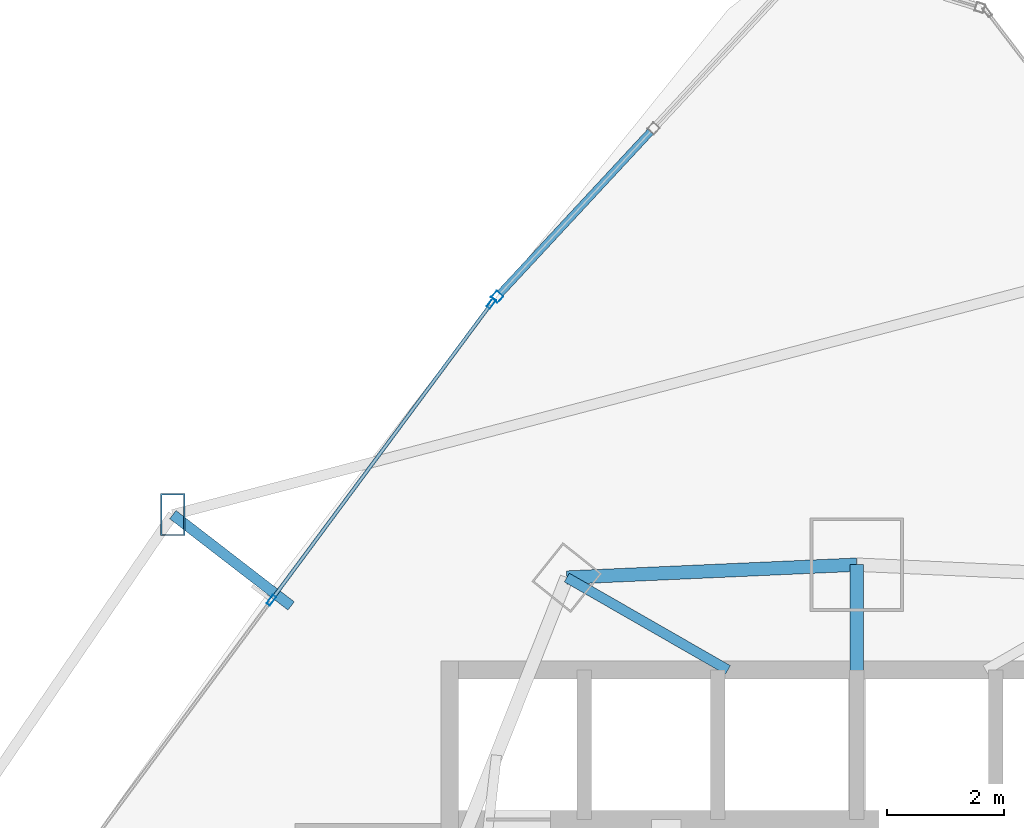
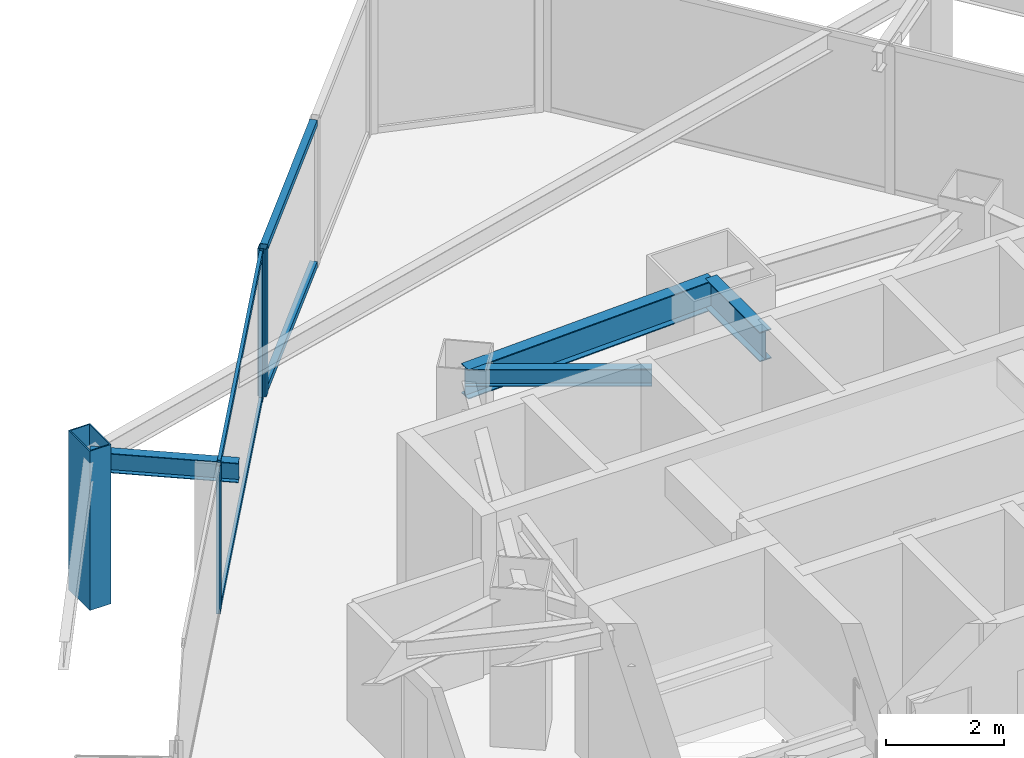
# One storey, part 25 of 37: 8 members, 4 beams, 2 elements without a shape of their own.
"""IFC4 building model written with IfcOpenShell, lengths in metres."""

from ifc_helpers import new_model, si_unit, direction, frame, origin, origin_2d, place, context, subcontext, project, spatial, hollow_rectangle, i_section, extrude, material, layer, layer_set, material_profile, profile_set, type_object, element, aggregate, save


model = new_model("IFC4")

# Units and contexts
model_context = context("Model", 3, precision=1e-05, world=origin(), true_north=direction((0.0, 1.0)))
body_context = subcontext(model_context, "Body", "Model", "MODEL_VIEW")
ifc_project = project(units=[si_unit("LENGTHUNIT", "METRE"), si_unit("AREAUNIT", "SQUARE_METRE"), si_unit("VOLUMEUNIT", "CUBIC_METRE"), si_unit("PLANEANGLEUNIT", "RADIAN"), si_unit("MASSUNIT", "GRAM", prefix="KILO")], contexts=[model_context])

# Site, building, storey
site_placement = place(None, origin())
site = spatial("IfcSite", under=ifc_project, at=site_placement, CompositionType="ELEMENT")
building_placement = place(site_placement, origin())
building = spatial("IfcBuilding", under=site, at=building_placement, Name="Orvanel Arch Residences", CompositionType="ELEMENT")
storey_placement = place(building_placement, frame((0.0, 0.0, 53.300048828125)))
storey = spatial("IfcBuildingStorey", under=building, at=storey_placement, Name="L14", CompositionType="ELEMENT", Elevation=53.300048828125)

# Beams
ifc_material_1 = material(Name="Structural steel AS/NZS 3679.1 Grade 300 (300 MPa)", Category="steel")
ifc_material_profile_1 = material_profile(ifc_material_1, i_section(OverallWidth=0.22900390625, OverallDepth=0.612060546875, WebThickness=0.011962890625, FlangeThickness=0.01953125, at=origin_2d()), Name="610UB125")
ifc_profile_set_1 = profile_set([ifc_material_profile_1], Name="Structural steel AS/NZS 3679.1 Grade 300 (300 MPa)")
beam_type_1 = type_object("IfcBeamType", Name="BG-610UB", PredefinedType="BEAM", material=ifc_profile_set_1)
beam_1_placement = place(storey_placement, frame((33.0, 39.550048828125, 2.75390625), z_axis=(0.0, 1.0, 0.0), x_axis=(-1.0, 0.0, 0.0)))
element("IfcBeam", 1, at=beam_1_placement, inside=storey, type_object=beam_type_1, Name="L14 North Radial Girder", PredefinedType="BEAM", context=body_context, shape_type="SweptSolid", body=[
    extrude(i_section(OverallWidth=0.22900390625, OverallDepth=0.612060546875, WebThickness=0.011962890625, FlangeThickness=0.01953125, at=origin_2d()), origin(), (0.0, 0.0, 1.0), 1.847900390625),
])
ifc_material_profile_2 = material_profile(ifc_material_1, i_section(OverallWidth=0.1708984375, OverallDepth=0.35595703125, WebThickness=0.00732421875, FlangeThickness=0.011474609375, at=origin_2d()), Name="360UB50.7")
ifc_profile_set_2 = profile_set([ifc_material_profile_2], Name="Structural steel AS/NZS 3679.1 Grade 300 (300 MPa)")
beam_type_2 = type_object("IfcBeamType", Name="BJ-360UB", PredefinedType="JOIST", material=ifc_profile_set_2)
beam_2_placement = place(storey_placement, frame((30.800048828125, 39.60009765625, 2.8818359375), z_axis=(-0.86736513383, 0.497672306458, 0.0), x_axis=(-0.497672306458, -0.86736513383, 0.0)))
element("IfcBeam", 2, at=beam_2_placement, inside=storey, type_object=beam_type_2, Name="L14 MNW Wing Floor Joist", PredefinedType="JOIST", context=body_context, shape_type="SweptSolid", body=[
    extrude(i_section(OverallWidth=0.1708984375, OverallDepth=0.35595703125, WebThickness=0.00732421875, FlangeThickness=0.011474609375, at=origin_2d()), origin(), (0.0, 0.0, 1.0), 3.17041015625),
])

# Member
ifc_material_2 = material(Name="Structural steel AS/NZS 3678 Grade 350", Category="steel")
ifc_material_profile_3 = material_profile(ifc_material_2, hollow_rectangle(XDim=0.419921875, YDim=0.719970703125, WallThickness=0.02490234375, at=origin_2d()), Name="RHS720x420x25")
ifc_profile_set_3 = profile_set([ifc_material_profile_3], Name="Structural steel AS/NZS 3678 Grade 350")
member_type_1 = type_object("IfcMemberType", Name="CH-720RHS-EXT", PredefinedType="CHORD", material=ifc_profile_set_3)
member_1_placement = place(storey_placement, frame((21.323974609375, 42.251953125, 0.0), z_axis=(0.0, 0.0, 1.0), x_axis=(1.0, 0.0, 0.0)))
element("IfcMember", 3, at=member_1_placement, inside=storey, type_object=member_type_1, Name="L14 Outer Perimeter Frame Post 01", PredefinedType="CHORD", context=body_context, shape_type="SweptSolid", body=[
    extrude(hollow_rectangle(XDim=0.419921875, YDim=0.719970703125, WallThickness=0.02490234375, at=origin_2d()), origin(), (0.0, 0.0, 1.0), 3.300048828125),
])

# Curtain wall, member
ifc_material_3 = material(Name="Bronze-anodised aluminium AA6063-T6", Category="aluminium")
ifc_layer_1 = layer(ifc_material_3, 0.18994140625)
ifc_layer_set_1 = layer_set([ifc_layer_1], Name="Bronze-anodised aluminium AA6063-T6")
curtain_wall_type_1 = type_object("IfcCurtainWallType", Name="CW5-CRN-SYS", PredefinedType="NOTDEFINED", material=ifc_layer_set_1)
curtain_wall_1_placement = place(storey_placement, origin())
curtain_wall_1 = element("IfcCurtainWall", 4, at=curtain_wall_1_placement, inside=storey, type_object=curtain_wall_type_1, Name="L14 CW5-CRN-SYS Unitised Curtain Wall", PredefinedType="NOTDEFINED")
ifc_material_profile_4 = material_profile(ifc_material_3, hollow_rectangle(XDim=0.14990234375, YDim=0.14990234375, WallThickness=0.0048828125, at=origin_2d()), Name="ALU150x150x5")
ifc_profile_set_4 = profile_set([ifc_material_profile_4], Name="Bronze-anodised aluminium AA6063-T6")
member_type_2 = type_object("IfcMemberType", Name="MUL-150x150", PredefinedType="MULLION", material=ifc_profile_set_4)
member_2_placement = place(storey_placement, frame((26.860107421875, 45.971923828125, 0.0), z_axis=(0.0, 0.0, 1.0), x_axis=(0.732512897092, -0.680753153202, 0.0)))
member_2 = element("IfcMember", 5, at=member_2_placement, type_object=member_type_2, Name="CW-S5 mullion 3", PredefinedType="MULLION", context=body_context, shape_type="SweptSolid", body=[
    extrude(hollow_rectangle(XDim=0.14990234375, YDim=0.14990234375, WallThickness=0.0048828125, at=origin_2d()), origin(), (0.0, 0.0, 1.0), 3.06005859375),
])

# Curtain wall, members
ifc_layer_2 = layer(ifc_material_3, 0.179931640625)
ifc_layer_set_2 = layer_set([ifc_layer_2], Name="Bronze-anodised aluminium AA6063-T6")
curtain_wall_type_2 = type_object("IfcCurtainWallType", Name="CW2-LOW-SYS", PredefinedType="NOTDEFINED", material=ifc_layer_set_2)
curtain_wall_2_placement = place(storey_placement, origin())
curtain_wall_2 = element("IfcCurtainWall", 6, at=curtain_wall_2_placement, inside=storey, type_object=curtain_wall_type_2, Name="L14 CW2-LOW-SYS Unitised Curtain Wall", PredefinedType="NOTDEFINED")
ifc_material_profile_5 = material_profile(ifc_material_3, hollow_rectangle(XDim=0.070068359375, YDim=0.179931640625, WallThickness=0.00439453125, at=origin_2d()), Name="ALU180x70x4.5")
ifc_profile_set_5 = profile_set([ifc_material_profile_5], Name="Bronze-anodised aluminium AA6063-T6")
member_type_3 = type_object("IfcMemberType", Name="MUL-180x70", PredefinedType="MULLION", material=ifc_profile_set_5)
member_3_placement = place(storey_placement, frame((26.76220703125, 45.85791015625, 0.0), z_axis=(0.0, 0.0, 1.0), x_axis=(0.803233082468, -0.595664851429, 0.0)))
member_3 = element("IfcMember", 7, at=member_3_placement, type_object=member_type_3, Name="CW-S2 mullion 1", PredefinedType="MULLION", context=body_context, shape_type="SweptSolid", body=[
    extrude(hollow_rectangle(XDim=0.070068359375, YDim=0.179931640625, WallThickness=0.00439453125, at=origin_2d()), origin(), (0.0, 0.0, 1.0), 3.06005859375),
])
member_4_placement = place(storey_placement, frame((23.0048828125, 40.79150390625, 0.0), z_axis=(0.0, 0.0, 1.0), x_axis=(0.803233082468, -0.595664851429, 0.0)))
member_4 = element("IfcMember", 8, at=member_4_placement, type_object=member_type_3, Name="CW-S2 mullion 2", PredefinedType="MULLION", context=body_context, shape_type="SweptSolid", body=[
    extrude(hollow_rectangle(XDim=0.070068359375, YDim=0.179931640625, WallThickness=0.00439453125, at=origin_2d()), origin(), (0.0, 0.0, 1.0), 3.06005859375),
])

# Beams
ifc_material_profile_6 = material_profile(ifc_material_1, i_section(OverallWidth=0.177978515625, OverallDepth=0.406005859375, WebThickness=0.0078125, FlangeThickness=0.0126953125, at=origin_2d()), Name="410UB59.7")
ifc_profile_set_6 = profile_set([ifc_material_profile_6], Name="Structural steel AS/NZS 3679.1 Grade 300 (300 MPa)")
beam_type_3 = type_object("IfcBeamType", Name="OB-410UB-EXT", PredefinedType="SPANDREL", material=ifc_profile_set_6)
beam_3_placement = place(storey_placement, frame((23.343017578125, 40.693115234375, 2.85693359375), z_axis=(-0.791537524176, 0.611120567336, 0.0), x_axis=(-0.611120567336, -0.791537524176, 0.0)))
element("IfcBeam", 9, at=beam_3_placement, inside=storey, type_object=beam_type_3, Name="L14 Outer Frame Radial Tie Beam 01", PredefinedType="SPANDREL", context=body_context, shape_type="SweptSolid", body=[
    extrude(i_section(OverallWidth=0.177978515625, OverallDepth=0.406005859375, WebThickness=0.0078125, FlangeThickness=0.0126953125, at=origin_2d()), origin(), (0.0, 0.0, 1.0), 2.55078125),
])
ifc_material_profile_7 = material_profile(ifc_material_1, i_section(OverallWidth=0.22900390625, OverallDepth=0.612060546875, WebThickness=0.011962890625, FlangeThickness=0.01953125, at=origin_2d()), Name="610UB125")
ifc_profile_set_7 = profile_set([ifc_material_profile_7], Name="Structural steel AS/NZS 3679.1 Grade 300 (300 MPa)")
beam_type_4 = type_object("IfcBeamType", Name="SP-610UB", PredefinedType="SPANDREL", material=ifc_profile_set_7)
beam_4_placement = place(storey_placement, frame((33.0, 41.39794921875, 2.75390625), z_axis=(-0.999014049296, -0.044395149614, 0.0), x_axis=(0.044395149614, -0.999014049296, 0.0)))
element("IfcBeam", 10, at=beam_4_placement, inside=storey, type_object=beam_type_4, Name="L14 Perimeter Spandrel Beam 17", PredefinedType="SPANDREL", context=body_context, shape_type="SweptSolid", body=[
    extrude(i_section(OverallWidth=0.22900390625, OverallDepth=0.612060546875, WebThickness=0.011962890625, FlangeThickness=0.01953125, at=origin_2d()), origin(), (0.0, 0.0, 1.0), 4.954833984375),
])

# Member
ifc_material_profile_8 = material_profile(ifc_material_3, hollow_rectangle(XDim=0.1298828125, YDim=0.1298828125, WallThickness=0.00439453125, at=origin_2d()), Name="ALU130x130x4.5")
ifc_profile_set_8 = profile_set([ifc_material_profile_8], Name="Bronze-anodised aluminium AA6063-T6")
member_type_4 = type_object("IfcMemberType", Name="TRN-130x130", PredefinedType="USERDEFINED", material=ifc_profile_set_8)
member_5_placement = place(storey_placement, frame((29.48046875, 48.79150390625, 0.06494140625), z_axis=(-0.680758698107, -0.732507743953, 0.0), x_axis=(0.732507743953, -0.680758698107, 0.0)))
member_5 = element("IfcMember", 11, at=member_5_placement, type_object=member_type_4, Name="CW-S5 transom 2.1", ObjectType="TRANSOM", PredefinedType="USERDEFINED", context=body_context, shape_type="SweptSolid", body=[
    extrude(hollow_rectangle(XDim=0.1298828125, YDim=0.1298828125, WallThickness=0.00439453125, at=origin_2d()), origin(), (0.0, 0.0, 1.0), 3.774169921875),
])

member_6_placement = place(storey_placement, frame((29.48046875, 48.79150390625, 2.994873046875), z_axis=(-0.680758698107, -0.732507743953, 0.0), x_axis=(0.732507743953, -0.680758698107, 0.0)))
member_6 = element("IfcMember", 12, at=member_6_placement, type_object=member_type_4, Name="CW-S5 transom 2.2", ObjectType="TRANSOM", PredefinedType="USERDEFINED", context=body_context, shape_type="SweptSolid", body=[
    extrude(hollow_rectangle(XDim=0.1298828125, YDim=0.1298828125, WallThickness=0.00439453125, at=origin_2d()), origin(), (0.0, 0.0, 1.0), 3.774169921875),
])

aggregate(curtain_wall_1, [member_2, member_5, member_6])

ifc_material_profile_9 = material_profile(ifc_material_3, hollow_rectangle(XDim=0.06005859375, YDim=0.135009765625, WallThickness=0.00390625, at=origin_2d()), Name="ALU135x60x4")
ifc_profile_set_9 = profile_set([ifc_material_profile_9], Name="Bronze-anodised aluminium AA6063-T6")
member_type_5 = type_object("IfcMemberType", Name="TRN-135x60", PredefinedType="USERDEFINED", material=ifc_profile_set_9)
member_7_placement = place(storey_placement, frame((26.7412109375, 45.829833984375, 0.030029296875), z_axis=(-0.595644949227, -0.803247841243, 0.0), x_axis=(0.803247841243, -0.595644949227, 0.0)))
member_7 = element("IfcMember", 13, at=member_7_placement, type_object=member_type_5, Name="CW-S2 transom 1.1", ObjectType="TRANSOM", PredefinedType="USERDEFINED", context=body_context, shape_type="SweptSolid", body=[
    extrude(hollow_rectangle(XDim=0.06005859375, YDim=0.135009765625, WallThickness=0.00390625, at=origin_2d()), origin(), (0.0, 0.0, 1.0), 6.237548828125),
])

member_8_placement = place(storey_placement, frame((26.7412109375, 45.829833984375, 3.030029296875), z_axis=(-0.595644949227, -0.803247841243, 0.0), x_axis=(0.803247841243, -0.595644949227, 0.0)))
member_8 = element("IfcMember", 14, at=member_8_placement, type_object=member_type_5, Name="CW-S2 transom 1.2", ObjectType="TRANSOM", PredefinedType="USERDEFINED", context=body_context, shape_type="SweptSolid", body=[
    extrude(hollow_rectangle(XDim=0.06005859375, YDim=0.135009765625, WallThickness=0.00390625, at=origin_2d()), origin(), (0.0, 0.0, 1.0), 6.237548828125),
])

aggregate(curtain_wall_2, [member_3, member_4, member_7, member_8])

save(model, "model.ifc")
